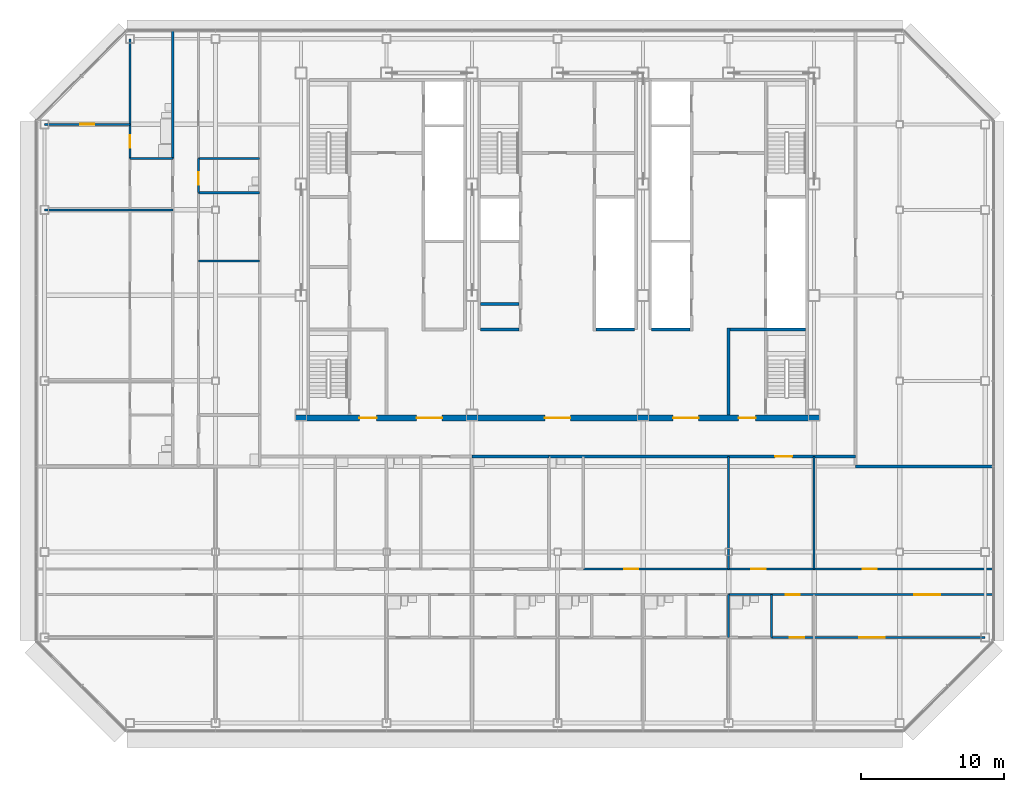
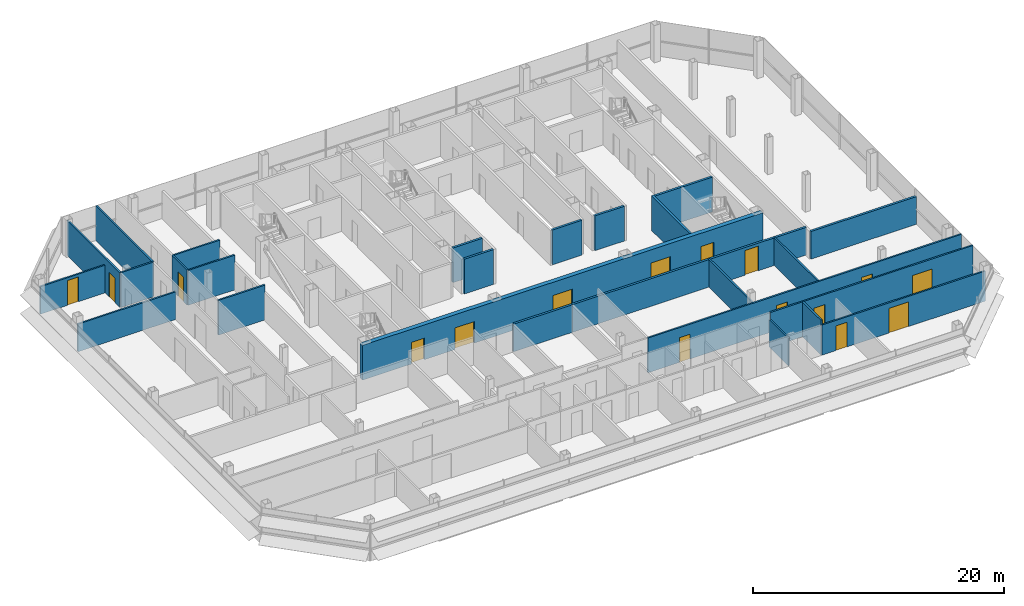
# One storey, part 23 of 28: 27 walls, 16 doors, 16 openings.
"""IFC4 building model written with IfcOpenShell, lengths in metres."""

from ifc_helpers import new_model, si_unit, direction, frame, frame_2d, origin, place, context, subcontext, project, spatial, rectangle, extrude, material, layer, layer_set, type_object, element, fill, save


model = new_model("IFC4")

# Units and contexts
model_context = context("Model", 3, precision=1e-05, world=origin(), true_north=direction((0.0, 1.0)))
body_context = subcontext(model_context, "Body", "Model", "MODEL_VIEW")
ifc_project = project(units=[si_unit("LENGTHUNIT", "METRE"), si_unit("AREAUNIT", "SQUARE_METRE"), si_unit("VOLUMEUNIT", "CUBIC_METRE"), si_unit("PLANEANGLEUNIT", "RADIAN"), si_unit("MASSUNIT", "GRAM", prefix="KILO")], contexts=[model_context])

# Site, building, storey
site_placement = place(None, origin())
site = spatial("IfcSite", under=ifc_project, at=site_placement, CompositionType="ELEMENT")
building_placement = place(site_placement, origin())
building = spatial("IfcBuilding", under=site, at=building_placement, Name="Sorahane Residences", CompositionType="ELEMENT")
storey_placement = place(building_placement, frame((0.0, 0.0, 254.0)))
storey = spatial("IfcBuildingStorey", under=building, at=storey_placement, Name="L60", CompositionType="ELEMENT", Elevation=254.0)

# Wall
ifc_material_1 = material(Name="Concrete blockwork C20 wall", Category="masonry")
ifc_layer_1 = layer(ifc_material_1, 0.199951171875)
ifc_layer_set_1 = layer_set([ifc_layer_1], Name="Corridor wall 200 EI 120")
wall_type_1 = type_object("IfcWallType", Name="Corridor wall 200 EI 120", PredefinedType="SOLIDWALL", material=ifc_layer_set_1)
wall_1_placement = place(storey_placement, frame((44.89990234375, 18.0, 0.0), z_axis=(0.0, 0.0, 1.0), x_axis=(1.0, 0.0, 0.0)))
element("IfcWall", 1, at=wall_1_placement, inside=storey, type_object=wall_type_1, Name="L60 corridor wall", PredefinedType="SOLIDWALL", context=body_context, shape_type="SweptSolid", body=[
    extrude(rectangle(XDim=9.7001953125, YDim=0.199951171875, at=frame_2d((4.85009765625, 0.0))), origin(), (0.0, 0.0, 1.0), 2.679931640625),
])

# Wall, opening, door
wall_2_placement = place(storey_placement, frame((23.39990234375, 18.699951171875, 0.0), z_axis=(0.0, 0.0, 1.0), x_axis=(1.0, 0.0, 0.0)))
wall_2 = element("IfcWall", 2, at=wall_2_placement, inside=storey, type_object=wall_type_1, Name="L60 corridor wall", PredefinedType="SOLIDWALL", context=body_context, shape_type="SweptSolid", body=[
    extrude(rectangle(XDim=21.5, YDim=0.199951171875, at=frame_2d((10.75, 0.0))), origin(), (0.0, 0.0, 1.0), 2.679931640625),
])
opening_1_placement = place(wall_2_placement, frame((15.860107421875, 0.0, 0.0)))
opening_1 = element("IfcOpeningElement", 3, at=opening_1_placement, cuts=wall_2, Name="Opening L60-47", PredefinedType="OPENING", context=body_context, shape_type="SweptSolid", body=[
    extrude(rectangle(XDim=1.199951171875, YDim=2.39990234375, at=frame_2d((0.60009765625, 1.199951171875))), frame((0.0, 0.10986328125, 0.0), z_axis=(0.0, -1.0, 0.0), x_axis=(1.0, 0.0, 0.0)), (0.0, 0.0, 1.0), 0.219970703125),
])
ifc_material_2 = material(Name="Timber veneered fire door", Category="wood")
door_type_1 = type_object("IfcDoorType", Name="Flat entrance door 1200x2400 FD60", OperationType="NOTDEFINED", PredefinedType="DOOR", material=ifc_material_2)
door_1_placement = place(opening_1_placement, frame((1.199951171875, 0.0, 0.0), z_axis=(0.0, 0.0, 1.0), x_axis=(-1.0, 0.0, 0.0)))
door_1 = element("IfcDoor", 4, at=door_1_placement, inside=storey, type_object=door_type_1, Name="Flat entrance door L60-47", OperationType="SINGLE_SWING_RIGHT", OverallHeight=2.39990234375, OverallWidth=1.199951171875, PredefinedType="DOOR", context=body_context, shape_type="SweptSolid", body=[
    extrude(rectangle(XDim=1.199951171875, YDim=2.39990234375, at=frame_2d((0.60009765625, 1.199951171875))), frame((0.0, 0.02490234375, 0.0), z_axis=(0.0, -1.0, 0.0), x_axis=(1.0, 0.0, 0.0)), (0.0, 0.0, 1.0), 0.050048828125),
])
fill(opening_1, door_1)

# Walls
ifc_material_3 = material(Name="Concrete C30", Category="concrete")
ifc_layer_2 = layer(ifc_material_3, 0.199951171875)
ifc_layer_set_2 = layer_set([ifc_layer_2], Name="Front room wall 200 EI 120")
wall_type_2 = type_object("IfcWallType", Name="Front room wall 200 EI 120", PredefinedType="PARTITIONING", material=ifc_layer_set_2)
wall_3_placement = place(storey_placement, frame((36.0, 21.60009765625, 0.0), z_axis=(0.0, 0.0, 1.0), x_axis=(0.0, 1.0, 0.0)))
element("IfcWall", 5, at=wall_3_placement, inside=storey, type_object=wall_type_2, Name="L60 front room wall", PredefinedType="PARTITIONING", context=body_context, shape_type="SweptSolid", body=[
    extrude(rectangle(XDim=6.099853515625, YDim=0.199951171875, at=frame_2d((3.0498046875, 0.0))), origin(), (0.0, 0.0, 1.0), 3.3798828125),
])
ifc_material_4 = material(Name="Concrete blockwork C20 wall", Category="masonry")
ifc_layer_3 = layer(ifc_material_4, 0.199951171875)
ifc_layer_set_3 = layer_set([ifc_layer_3], Name="Kitchen wall 200 EI 180")
wall_type_3 = type_object("IfcWallType", Name="Kitchen wall 200 EI 180", PredefinedType="SOLIDWALL", material=ifc_layer_set_3)
wall_4_placement = place(storey_placement, frame((18.0, 18.699951171875, 0.0), z_axis=(0.0, 0.0, 1.0), x_axis=(1.0, 0.0, 0.0)))
element("IfcWall", 6, at=wall_4_placement, inside=storey, type_object=wall_type_3, Name="L60 kitchen wall", PredefinedType="SOLIDWALL", context=body_context, shape_type="SweptSolid", body=[
    extrude(rectangle(XDim=5.39990234375, YDim=0.199951171875, at=frame_2d((2.699951171875, 0.0))), origin(), (0.0, 0.0, 1.0), 2.679931640625),
])
ifc_material_5 = material(Name="Concrete C30", Category="concrete")
ifc_layer_4 = layer(ifc_material_5, 0.199951171875)
ifc_layer_set_4 = layer_set([ifc_layer_4], Name="Lift shaft wall 200 EI 120")
wall_type_4 = type_object("IfcWallType", Name="Lift shaft wall 200 EI 120", PredefinedType="SOLIDWALL", material=ifc_layer_set_4)
wall_5_placement = place(storey_placement, frame((30.60009765625, 27.60009765625, 0.0), z_axis=(0.0, 0.0, 1.0), x_axis=(1.0, 0.0, 0.0)))
element("IfcWall", 7, at=wall_5_placement, inside=storey, type_object=wall_type_4, Name="L60 lift shaft wall", PredefinedType="SOLIDWALL", context=body_context, shape_type="SweptSolid", body=[
    extrude(rectangle(XDim=2.699951171875, YDim=0.199951171875, at=frame_2d((1.35009765625, 0.0))), origin(), (0.0, 0.0, 1.0), 3.3798828125),
])
ifc_material_6 = material(Name="Gypsum board partition on steel studs", Category="steel")
ifc_layer_5 = layer(ifc_material_6, 0.14990234375)
ifc_layer_set_5 = layer_set([ifc_layer_5], Name="Partition 150 EI 90")
wall_type_5 = type_object("IfcWallType", Name="Partition 150 EI 90", PredefinedType="PARTITIONING", material=ifc_layer_set_5)
for number, where, z_axis, x_axis, name in (
    (8, (36.0, 10.800048828125, 0.0), (0.0, 0.0, 1.0), (0.0, 1.0, 0.0), "L60 partition"),
    (9, (42.0, 10.800048828125, 0.0), (0.0, 0.0, 1.0), (0.0, 1.0, 0.0), "L60 partition"),
):
    element("IfcWall", number, at=place(storey_placement, frame(where, z_axis=z_axis, x_axis=x_axis)), inside=storey, type_object=wall_type_5, Name=name, PredefinedType="PARTITIONING", context=body_context, shape_type="SweptSolid", body=[
        extrude(rectangle(XDim=7.89990234375, YDim=0.14990234375, at=frame_2d((3.949951171875, 0.0))), origin(), (0.0, 0.0, 1.0), 2.679931640625),
    ])

# Wall, openings, doors
wall_6_placement = place(storey_placement, frame((25.800048828125, 10.800048828125, 0.0), z_axis=(0.0, 0.0, 1.0), x_axis=(1.0, 0.0, 0.0)))
wall_6 = element("IfcWall", 10, at=wall_6_placement, inside=storey, type_object=wall_type_5, Name="L60 partition", PredefinedType="PARTITIONING", context=body_context, shape_type="SweptSolid", body=[
    extrude(rectangle(XDim=28.800048828125, YDim=0.14990234375, at=frame_2d((14.39990234375, 0.0))), origin(), (0.0, 0.0, 1.0), 3.3798828125),
])
opening_2_placement = place(wall_6_placement, frame((11.800048828125, 0.0, 0.0)))
opening_2 = element("IfcOpeningElement", 11, at=opening_2_placement, cuts=wall_6, Name="Opening L60-13", PredefinedType="OPENING", context=body_context, shape_type="SweptSolid", body=[
    extrude(rectangle(XDim=1.0, YDim=2.39990234375, at=frame_2d((0.5, 1.199951171875))), frame((0.0, 0.0849609375, 0.0), z_axis=(0.0, -1.0, 0.0), x_axis=(1.0, 0.0, 0.0)), (0.0, 0.0, 1.0), 0.169921875),
])
opening_3_placement = place(wall_6_placement, frame((2.860107421875, 0.0, 0.0)))
opening_3 = element("IfcOpeningElement", 12, at=opening_3_placement, cuts=wall_6, Name="Opening L60-16", PredefinedType="OPENING", context=body_context, shape_type="SweptSolid", body=[
    extrude(rectangle(XDim=1.0, YDim=2.39990234375, at=frame_2d((0.5, 1.199951171875))), frame((0.0, 0.0849609375, 0.0), z_axis=(0.0, -1.0, 0.0), x_axis=(1.0, 0.0, 0.0)), (0.0, 0.0, 1.0), 0.169921875),
])
opening_4_placement = place(wall_6_placement, frame((19.60009765625, 0.0, 0.0)))
opening_4 = element("IfcOpeningElement", 13, at=opening_4_placement, cuts=wall_6, Name="Opening L60-17", PredefinedType="OPENING", context=body_context, shape_type="SweptSolid", body=[
    extrude(rectangle(XDim=1.0, YDim=2.39990234375, at=frame_2d((0.5, 1.199951171875))), frame((0.0, 0.0849609375, 0.0), z_axis=(0.0, -1.0, 0.0), x_axis=(1.0, 0.0, 0.0)), (0.0, 0.0, 1.0), 0.169921875),
])
ifc_material_7 = material(Name="Timber veneered fire door", Category="wood")
door_type_2 = type_object("IfcDoorType", Name="Room door 1000x2400 FD30", OperationType="NOTDEFINED", PredefinedType="DOOR", material=ifc_material_7)
door_2_placement = place(opening_2_placement, frame((1.0, 0.0, 0.0), z_axis=(0.0, 0.0, 1.0), x_axis=(-1.0, 0.0, 0.0)))
door_2 = element("IfcDoor", 14, at=door_2_placement, inside=storey, type_object=door_type_2, Name="Room door L60-13", OperationType="SINGLE_SWING_LEFT", OverallHeight=2.39990234375, OverallWidth=1.0, PredefinedType="DOOR", context=body_context, shape_type="SweptSolid", body=[
    extrude(rectangle(XDim=1.0, YDim=2.39990234375, at=frame_2d((0.5, 1.199951171875))), frame((0.0, 0.02490234375, 0.0), z_axis=(0.0, -1.0, 0.0), x_axis=(1.0, 0.0, 0.0)), (0.0, 0.0, 1.0), 0.050048828125),
])
fill(opening_2, door_2)
door_3_placement = place(opening_3_placement, origin())
door_3 = element("IfcDoor", 15, at=door_3_placement, inside=storey, type_object=door_type_2, Name="Room door L60-16", OperationType="SINGLE_SWING_LEFT", OverallHeight=2.39990234375, OverallWidth=1.0, PredefinedType="DOOR", context=body_context, shape_type="SweptSolid", body=[
    extrude(rectangle(XDim=1.0, YDim=2.39990234375, at=frame_2d((0.5, 1.199951171875))), frame((0.0, 0.02490234375, 0.0), z_axis=(0.0, -1.0, 0.0), x_axis=(1.0, 0.0, 0.0)), (0.0, 0.0, 1.0), 0.050048828125),
])
fill(opening_3, door_3)
door_4_placement = place(opening_4_placement, origin())
door_4 = element("IfcDoor", 16, at=door_4_placement, inside=storey, type_object=door_type_2, Name="Room door L60-17", OperationType="SINGLE_SWING_LEFT", OverallHeight=2.39990234375, OverallWidth=1.0, PredefinedType="DOOR", context=body_context, shape_type="SweptSolid", body=[
    extrude(rectangle(XDim=1.0, YDim=2.39990234375, at=frame_2d((0.5, 1.199951171875))), frame((0.0, 0.02490234375, 0.0), z_axis=(0.0, -1.0, 0.0), x_axis=(1.0, 0.0, 0.0)), (0.0, 0.0, 1.0), 0.050048828125),
])
fill(opening_4, door_4)

# Walls
wall_7_placement = place(storey_placement, frame((-1.199951171875, 32.39990234375, 0.0), z_axis=(0.0, 0.0, 1.0), x_axis=(1.0, 0.0, 0.0)))
element("IfcWall", 17, at=wall_7_placement, inside=storey, type_object=wall_type_5, Name="L60 partition", PredefinedType="PARTITIONING", context=body_context, shape_type="SweptSolid", body=[
    extrude(rectangle(XDim=4.300048828125, YDim=0.14990234375, at=frame_2d((2.14990234375, 0.0))), origin(), (0.0, 0.0, 1.0), 3.3798828125),
])
wall_8_placement = place(storey_placement, frame((-12.0, 36.0, 0.0), z_axis=(0.0, 0.0, 1.0), x_axis=(1.0, 0.0, 0.0)))
element("IfcWall", 18, at=wall_8_placement, inside=storey, type_object=wall_type_5, Name="L60 partition", PredefinedType="PARTITIONING", context=body_context, shape_type="SweptSolid", body=[
    extrude(rectangle(XDim=9.0, YDim=0.14990234375, at=frame_2d((4.5, 0.0))), origin(), (0.0, 0.0, 1.0), 2.679931640625),
])

# Wall, opening, door
wall_9_placement = place(storey_placement, frame((-12.0, 42.0, 0.0), z_axis=(0.0, 0.0, 1.0), x_axis=(1.0, 0.0, 0.0)))
wall_9 = element("IfcWall", 19, at=wall_9_placement, inside=storey, type_object=wall_type_5, Name="L60 partition", PredefinedType="PARTITIONING", context=body_context, shape_type="SweptSolid", body=[
    extrude(rectangle(XDim=6.0, YDim=0.14990234375, at=frame_2d((3.0, 0.0))), origin(), (0.0, 0.0, 1.0), 2.679931640625),
])
opening_5_placement = place(wall_9_placement, frame((2.5, 0.0, 0.0)))
opening_5 = element("IfcOpeningElement", 20, at=opening_5_placement, cuts=wall_9, Name="Opening L60-44", PredefinedType="OPENING", context=body_context, shape_type="SweptSolid", body=[
    extrude(rectangle(XDim=1.0, YDim=2.39990234375, at=frame_2d((0.5, 1.199951171875))), frame((0.0, 0.0849609375, 0.0), z_axis=(0.0, -1.0, 0.0), x_axis=(1.0, 0.0, 0.0)), (0.0, 0.0, 1.0), 0.169921875),
])
door_5_placement = place(opening_5_placement, origin())
door_5 = element("IfcDoor", 21, at=door_5_placement, inside=storey, type_object=door_type_2, Name="Room door L60-44", OperationType="SINGLE_SWING_LEFT", OverallHeight=2.39990234375, OverallWidth=1.0, PredefinedType="DOOR", context=body_context, shape_type="SweptSolid", body=[
    extrude(rectangle(XDim=1.0, YDim=2.39990234375, at=frame_2d((0.5, 1.199951171875))), frame((0.0, 0.02490234375, 0.0), z_axis=(0.0, -1.0, 0.0), x_axis=(1.0, 0.0, 0.0)), (0.0, 0.0, 1.0), 0.050048828125),
])
fill(opening_5, door_5)

# Wall, openings, doors
wall_10_placement = place(storey_placement, frame((39.0, 6.0, 0.0), z_axis=(0.0, 0.0, 1.0), x_axis=(1.0, 0.0, 0.0)))
wall_10 = element("IfcWall", 22, at=wall_10_placement, inside=storey, type_object=wall_type_5, Name="L60 partition", PredefinedType="PARTITIONING", context=body_context, shape_type="SweptSolid", body=[
    extrude(rectangle(XDim=15.0, YDim=0.14990234375, at=frame_2d((7.5, 0.0))), origin(), (0.0, 0.0, 1.0), 2.929931640625),
])
opening_6_placement = place(wall_10_placement, frame((1.300048828125, 0.0, 0.0)))
opening_6 = element("IfcOpeningElement", 23, at=opening_6_placement, cuts=wall_10, Name="Opening L60-29", PredefinedType="OPENING", context=body_context, shape_type="SweptSolid", body=[
    extrude(rectangle(XDim=1.0, YDim=2.39990234375, at=frame_2d((0.5, 1.199951171875))), frame((0.0, 0.0849609375, 0.0), z_axis=(0.0, -1.0, 0.0), x_axis=(1.0, 0.0, 0.0)), (0.0, 0.0, 1.0), 0.169921875),
])
opening_7_placement = place(wall_10_placement, frame((6.159912109375, 0.0, 0.0)))
opening_7 = element("IfcOpeningElement", 24, at=opening_7_placement, cuts=wall_10, Name="Opening L60-31", PredefinedType="OPENING", context=body_context, shape_type="SweptSolid", body=[
    extrude(rectangle(XDim=1.800048828125, YDim=2.39990234375, at=frame_2d((0.89990234375, 1.199951171875))), frame((0.0, 0.0849609375, 0.0), z_axis=(0.0, -1.0, 0.0), x_axis=(1.0, 0.0, 0.0)), (0.0, 0.0, 1.0), 0.169921875),
])
ifc_material_8 = material(Name="Timber veneered fire door", Category="wood")
door_type_3 = type_object("IfcDoorType", Name="Double door 1800x2400 FD30", OperationType="NOTDEFINED", PredefinedType="DOOR", material=ifc_material_8)
door_6_placement = place(opening_7_placement, frame((1.800048828125, 0.0, 0.0), z_axis=(0.0, 0.0, 1.0), x_axis=(-1.0, 0.0, 0.0)))
door_6 = element("IfcDoor", 25, at=door_6_placement, inside=storey, type_object=door_type_3, Name="Double door L60-31", OperationType="SINGLE_SWING_RIGHT", OverallHeight=2.39990234375, OverallWidth=1.800048828125, PredefinedType="DOOR", context=body_context, shape_type="SweptSolid", body=[
    extrude(rectangle(XDim=1.800048828125, YDim=2.39990234375, at=frame_2d((0.89990234375, 1.199951171875))), frame((0.0, 0.02490234375, 0.0), z_axis=(0.0, -1.0, 0.0), x_axis=(1.0, 0.0, 0.0)), (0.0, 0.0, 1.0), 0.050048828125),
])
fill(opening_7, door_6)
door_7_placement = place(opening_6_placement, frame((1.0, 0.0, 0.0), z_axis=(0.0, 0.0, 1.0), x_axis=(-1.0, 0.0, 0.0)))
door_7 = element("IfcDoor", 26, at=door_7_placement, inside=storey, type_object=door_type_2, Name="Room door L60-29", OperationType="SINGLE_SWING_RIGHT", OverallHeight=2.39990234375, OverallWidth=1.0, PredefinedType="DOOR", context=body_context, shape_type="SweptSolid", body=[
    extrude(rectangle(XDim=1.0, YDim=2.39990234375, at=frame_2d((0.5, 1.199951171875))), frame((0.0, 0.02490234375, 0.0), z_axis=(0.0, -1.0, 0.0), x_axis=(1.0, 0.0, 0.0)), (0.0, 0.0, 1.0), 0.050048828125),
])
fill(opening_6, door_7)

wall_11_placement = place(storey_placement, frame((39.0, 9.0, 0.0), z_axis=(0.0, 0.0, 1.0), x_axis=(1.0, 0.0, 0.0)))
wall_11 = element("IfcWall", 27, at=wall_11_placement, inside=storey, type_object=wall_type_5, Name="L60 partition", PredefinedType="PARTITIONING", context=body_context, shape_type="SweptSolid", body=[
    extrude(rectangle(XDim=15.60009765625, YDim=0.14990234375, at=frame_2d((7.800048828125, 0.0))), origin(), (0.0, 0.0, 1.0), 3.3798828125),
])
opening_8_placement = place(wall_11_placement, frame((1.0, 0.0, 0.0)))
opening_8 = element("IfcOpeningElement", 28, at=opening_8_placement, cuts=wall_11, Name="Opening L60-21", PredefinedType="OPENING", context=body_context, shape_type="SweptSolid", body=[
    extrude(rectangle(XDim=1.0, YDim=2.39990234375, at=frame_2d((0.5, 1.199951171875))), frame((0.0, 0.0849609375, 0.0), z_axis=(0.0, -1.0, 0.0), x_axis=(1.0, 0.0, 0.0)), (0.0, 0.0, 1.0), 0.169921875),
])
opening_9_placement = place(wall_11_placement, frame((10.0400390625, 0.0, 0.0)))
opening_9 = element("IfcOpeningElement", 29, at=opening_9_placement, cuts=wall_11, Name="Opening L60-22", PredefinedType="OPENING", context=body_context, shape_type="SweptSolid", body=[
    extrude(rectangle(XDim=1.800048828125, YDim=2.39990234375, at=frame_2d((0.89990234375, 1.199951171875))), frame((0.0, 0.0849609375, 0.0), z_axis=(0.0, -1.0, 0.0), x_axis=(1.0, 0.0, 0.0)), (0.0, 0.0, 1.0), 0.169921875),
])
door_8_placement = place(opening_9_placement, frame((1.800048828125, 0.0, 0.0), z_axis=(0.0, 0.0, 1.0), x_axis=(-1.0, 0.0, 0.0)))
door_8 = element("IfcDoor", 30, at=door_8_placement, inside=storey, type_object=door_type_3, Name="Double door L60-22", OperationType="SINGLE_SWING_LEFT", OverallHeight=2.39990234375, OverallWidth=1.800048828125, PredefinedType="DOOR", context=body_context, shape_type="SweptSolid", body=[
    extrude(rectangle(XDim=1.800048828125, YDim=2.39990234375, at=frame_2d((0.89990234375, 1.199951171875))), frame((0.0, 0.02490234375, 0.0), z_axis=(0.0, -1.0, 0.0), x_axis=(1.0, 0.0, 0.0)), (0.0, 0.0, 1.0), 0.050048828125),
])
fill(opening_9, door_8)
door_9_placement = place(opening_8_placement, frame((1.0, 0.0, 0.0), z_axis=(0.0, 0.0, 1.0), x_axis=(-1.0, 0.0, 0.0)))
door_9 = element("IfcDoor", 31, at=door_9_placement, inside=storey, type_object=door_type_2, Name="Room door L60-21", OperationType="SINGLE_SWING_LEFT", OverallHeight=2.39990234375, OverallWidth=1.0, PredefinedType="DOOR", context=body_context, shape_type="SweptSolid", body=[
    extrude(rectangle(XDim=1.0, YDim=2.39990234375, at=frame_2d((0.5, 1.199951171875))), frame((0.0, 0.02490234375, 0.0), z_axis=(0.0, -1.0, 0.0), x_axis=(1.0, 0.0, 0.0)), (0.0, 0.0, 1.0), 0.050048828125),
])
fill(opening_8, door_9)

# Walls
ifc_material_9 = material(Name="Concrete C30", Category="concrete")
ifc_layer_6 = layer(ifc_material_9, 0.199951171875)
ifc_layer_set_6 = layer_set([ifc_layer_6], Name="Riser shaft wall 200 EI 120")
wall_type_6 = type_object("IfcWallType", Name="Riser shaft wall 200 EI 120", PredefinedType="SOLIDWALL", material=ifc_layer_set_6)
wall_12_placement = place(storey_placement, frame((26.699951171875, 27.60009765625, 0.0), z_axis=(0.0, 0.0, 1.0), x_axis=(1.0, 0.0, 0.0)))
element("IfcWall", 32, at=wall_12_placement, inside=storey, type_object=wall_type_6, Name="L60 riser wall", PredefinedType="SOLIDWALL", context=body_context, shape_type="SweptSolid", body=[
    extrude(rectangle(XDim=2.699951171875, YDim=0.199951171875, at=frame_2d((1.35009765625, 0.0))), origin(), (0.0, 0.0, 1.0), 3.3798828125),
])
ifc_material_10 = material(Name="Concrete C30", Category="concrete")
ifc_layer_7 = layer(ifc_material_10, 0.199951171875)
ifc_layer_set_7 = layer_set([ifc_layer_7], Name="Service room partition 200 EI 60")
wall_type_7 = type_object("IfcWallType", Name="Service room partition 200 EI 60", PredefinedType="PARTITIONING", material=ifc_layer_set_7)
for number, where, z_axis, x_axis, name in (
    (33, (18.60009765625, 27.60009765625, 0.0), (0.0, 0.0, 1.0), (1.0, 0.0, 0.0), "L60 service room wall"),
    (34, (18.60009765625, 29.39990234375, 0.0), (0.0, 0.0, 1.0), (1.0, 0.0, 0.0), "L60 service room wall"),
):
    element("IfcWall", number, at=place(storey_placement, frame(where, z_axis=z_axis, x_axis=x_axis)), inside=storey, type_object=wall_type_7, Name=name, PredefinedType="PARTITIONING", context=body_context, shape_type="SweptSolid", body=[
        extrude(rectangle(XDim=2.699951171875, YDim=0.199951171875, at=frame_2d((1.35009765625, 0.0))), origin(), (0.0, 0.0, 1.0), 3.3798828125),
    ])
ifc_material_11 = material(Name="Concrete C30", Category="concrete")
ifc_layer_8 = layer(ifc_material_11, 0.199951171875)
ifc_layer_set_8 = layer_set([ifc_layer_8], Name="Stair enclosure wall 200 EI 120")
wall_type_8 = type_object("IfcWallType", Name="Stair enclosure wall 200 EI 120", PredefinedType="SOLIDWALL", material=ifc_layer_set_8)
wall_13_placement = place(storey_placement, frame((36.10009765625, 27.60009765625, 0.0), z_axis=(0.0, 0.0, 1.0), x_axis=(1.0, 0.0, 0.0)))
element("IfcWall", 35, at=wall_13_placement, inside=storey, type_object=wall_type_8, Name="L60 stair enclosure wall", PredefinedType="SOLIDWALL", context=body_context, shape_type="SweptSolid", body=[
    extrude(rectangle(XDim=5.2998046875, YDim=0.199951171875, at=frame_2d((2.64990234375, 0.0))), origin(), (0.0, 0.0, 1.0), 3.3798828125),
])

# Wall, openings, doors
ifc_material_12 = material(Name="Concrete C30", Category="concrete")
ifc_layer_9 = layer(ifc_material_12, 0.39990234375)
ifc_layer_set_9 = layer_set([ifc_layer_9], Name="Waiting hall wall 400 EI 120")
wall_type_9 = type_object("IfcWallType", Name="Waiting hall wall 400 EI 120", PredefinedType="SOLIDWALL", material=ifc_layer_set_9)
wall_14_placement = place(storey_placement, frame((5.60009765625, 21.39990234375, 0.0), z_axis=(0.0, 0.0, 1.0), x_axis=(1.0, 0.0, 0.0)))
wall_14 = element("IfcWall", 36, at=wall_14_placement, inside=storey, type_object=wall_type_9, Name="L60 waiting hall wall", PredefinedType="SOLIDWALL", context=body_context, shape_type="SweptSolid", body=[
    extrude(rectangle(XDim=36.7998046875, YDim=0.39990234375, at=frame_2d((18.39990234375, 0.0))), origin(), (0.0, 0.0, 1.0), 3.3798828125),
])
opening_10_placement = place(wall_14_placement, frame((8.5, 0.0, 0.0)))
opening_10 = element("IfcOpeningElement", 37, at=opening_10_placement, cuts=wall_14, Name="Opening L60-C01", PredefinedType="OPENING", context=body_context, shape_type="SweptSolid", body=[
    extrude(rectangle(XDim=1.800048828125, YDim=2.10009765625, at=frame_2d((0.89990234375, 1.050048828125))), frame((0.0, 0.2099609375, 0.0), z_axis=(0.0, -1.0, 0.0), x_axis=(1.0, 0.0, 0.0)), (0.0, 0.0, 1.0), 0.419921875),
])
opening_11_placement = place(wall_14_placement, frame((17.5, 0.0, 0.0)))
opening_11 = element("IfcOpeningElement", 38, at=opening_11_placement, cuts=wall_14, Name="Opening L60-C02", PredefinedType="OPENING", context=body_context, shape_type="SweptSolid", body=[
    extrude(rectangle(XDim=1.800048828125, YDim=2.10009765625, at=frame_2d((0.89990234375, 1.050048828125))), frame((0.0, 0.2099609375, 0.0), z_axis=(0.0, -1.0, 0.0), x_axis=(1.0, 0.0, 0.0)), (0.0, 0.0, 1.0), 0.419921875),
])
opening_12_placement = place(wall_14_placement, frame((26.5, 0.0, 0.0)))
opening_12 = element("IfcOpeningElement", 39, at=opening_12_placement, cuts=wall_14, Name="Opening L60-C03", PredefinedType="OPENING", context=body_context, shape_type="SweptSolid", body=[
    extrude(rectangle(XDim=1.800048828125, YDim=2.10009765625, at=frame_2d((0.89990234375, 1.050048828125))), frame((0.0, 0.2099609375, 0.0), z_axis=(0.0, -1.0, 0.0), x_axis=(1.0, 0.0, 0.0)), (0.0, 0.0, 1.0), 0.419921875),
])
opening_13_placement = place(wall_14_placement, frame((4.5, 0.0, 0.0)))
opening_13 = element("IfcOpeningElement", 40, at=opening_13_placement, cuts=wall_14, Name="Opening L60-C04", PredefinedType="OPENING", context=body_context, shape_type="SweptSolid", body=[
    extrude(rectangle(XDim=1.199951171875, YDim=2.10009765625, at=frame_2d((0.60009765625, 1.050048828125))), frame((0.0, 0.2099609375, 0.0), z_axis=(0.0, -1.0, 0.0), x_axis=(1.0, 0.0, 0.0)), (0.0, 0.0, 1.0), 0.419921875),
])
opening_14_placement = place(wall_14_placement, frame((31.10009765625, 0.0, 0.0)))
opening_14 = element("IfcOpeningElement", 41, at=opening_14_placement, cuts=wall_14, Name="Opening L60-C05", PredefinedType="OPENING", context=body_context, shape_type="SweptSolid", body=[
    extrude(rectangle(XDim=1.199951171875, YDim=2.10009765625, at=frame_2d((0.60009765625, 1.050048828125))), frame((0.0, 0.2099609375, 0.0), z_axis=(0.0, -1.0, 0.0), x_axis=(1.0, 0.0, 0.0)), (0.0, 0.0, 1.0), 0.419921875),
])
ifc_material_13 = material(Name="Steel", Category="steel")
door_type_4 = type_object("IfcDoorType", Name="Stair front room door 1200x2100 FD120", OperationType="NOTDEFINED", PredefinedType="DOOR", material=ifc_material_13)
door_10_placement = place(opening_13_placement, frame((1.199951171875, 0.0, 0.0), z_axis=(0.0, 0.0, 1.0), x_axis=(-1.0, 0.0, 0.0)))
door_10 = element("IfcDoor", 42, at=door_10_placement, inside=storey, type_object=door_type_4, Name="Stair front room door Stair S4 front room L60", OperationType="SINGLE_SWING_LEFT", OverallHeight=2.10009765625, OverallWidth=1.199951171875, PredefinedType="DOOR", context=body_context, shape_type="SweptSolid", body=[
    extrude(rectangle(XDim=1.199951171875, YDim=2.10009765625, at=frame_2d((0.60009765625, 1.050048828125))), frame((0.0, 0.02490234375, 0.0), z_axis=(0.0, -1.0, 0.0), x_axis=(1.0, 0.0, 0.0)), (0.0, 0.0, 1.0), 0.050048828125),
])
fill(opening_13, door_10)
door_11_placement = place(opening_14_placement, frame((1.199951171875, 0.0, 0.0), z_axis=(0.0, 0.0, 1.0), x_axis=(-1.0, 0.0, 0.0)))
door_11 = element("IfcDoor", 43, at=door_11_placement, inside=storey, type_object=door_type_4, Name="Stair front room door Stair S5 front room L60", OperationType="SINGLE_SWING_LEFT", OverallHeight=2.10009765625, OverallWidth=1.199951171875, PredefinedType="DOOR", context=body_context, shape_type="SweptSolid", body=[
    extrude(rectangle(XDim=1.199951171875, YDim=2.10009765625, at=frame_2d((0.60009765625, 1.050048828125))), frame((0.0, 0.02490234375, 0.0), z_axis=(0.0, -1.0, 0.0), x_axis=(1.0, 0.0, 0.0)), (0.0, 0.0, 1.0), 0.050048828125),
])
fill(opening_14, door_11)
ifc_material_14 = material(Name="Steel", Category="steel")
door_type_5 = type_object("IfcDoorType", Name="Waiting hall door 1800x2100 FD60", OperationType="NOTDEFINED", PredefinedType="DOOR", material=ifc_material_14)
door_12_placement = place(opening_10_placement, frame((1.800048828125, 0.0, 0.0), z_axis=(0.0, 0.0, 1.0), x_axis=(-1.0, 0.0, 0.0)))
door_12 = element("IfcDoor", 44, at=door_12_placement, inside=storey, type_object=door_type_5, Name="Waiting hall door Residents' waiting hall L60", OperationType="SINGLE_SWING_LEFT", OverallHeight=2.10009765625, OverallWidth=1.800048828125, PredefinedType="DOOR", context=body_context, shape_type="SweptSolid", body=[
    extrude(rectangle(XDim=1.800048828125, YDim=2.10009765625, at=frame_2d((0.89990234375, 1.050048828125))), frame((0.0, 0.02490234375, 0.0), z_axis=(0.0, -1.0, 0.0), x_axis=(1.0, 0.0, 0.0)), (0.0, 0.0, 1.0), 0.050048828125),
])
fill(opening_10, door_12)
door_13_placement = place(opening_11_placement, frame((1.800048828125, 0.0, 0.0), z_axis=(0.0, 0.0, 1.0), x_axis=(-1.0, 0.0, 0.0)))
door_13 = element("IfcDoor", 45, at=door_13_placement, inside=storey, type_object=door_type_5, Name="Waiting hall door Residents' waiting hall L60", OperationType="SINGLE_SWING_LEFT", OverallHeight=2.10009765625, OverallWidth=1.800048828125, PredefinedType="DOOR", context=body_context, shape_type="SweptSolid", body=[
    extrude(rectangle(XDim=1.800048828125, YDim=2.10009765625, at=frame_2d((0.89990234375, 1.050048828125))), frame((0.0, 0.02490234375, 0.0), z_axis=(0.0, -1.0, 0.0), x_axis=(1.0, 0.0, 0.0)), (0.0, 0.0, 1.0), 0.050048828125),
])
fill(opening_11, door_13)
door_14_placement = place(opening_12_placement, frame((1.800048828125, 0.0, 0.0), z_axis=(0.0, 0.0, 1.0), x_axis=(-1.0, 0.0, 0.0)))
door_14 = element("IfcDoor", 46, at=door_14_placement, inside=storey, type_object=door_type_5, Name="Waiting hall door Residents' waiting hall L60", OperationType="SINGLE_SWING_LEFT", OverallHeight=2.10009765625, OverallWidth=1.800048828125, PredefinedType="DOOR", context=body_context, shape_type="SweptSolid", body=[
    extrude(rectangle(XDim=1.800048828125, YDim=2.10009765625, at=frame_2d((0.89990234375, 1.050048828125))), frame((0.0, 0.02490234375, 0.0), z_axis=(0.0, -1.0, 0.0), x_axis=(1.0, 0.0, 0.0)), (0.0, 0.0, 1.0), 0.050048828125),
])
fill(opening_12, door_14)

# Wall, opening, door
ifc_material_15 = material(Name="Gypsum board partition on steel studs", Category="steel")
ifc_layer_10 = layer(ifc_material_15, 0.14990234375)
ifc_layer_set_10 = layer_set([ifc_layer_10], Name="Wet wall 150 EI 90")
wall_type_10 = type_object("IfcWallType", Name="Wet wall 150 EI 90", PredefinedType="PARTITIONING", material=ifc_layer_set_10)
wall_15_placement = place(storey_placement, frame((-1.199951171875, 37.199951171875, 0.0), z_axis=(0.0, 0.0, 1.0), x_axis=(0.0, 1.0, 0.0)))
wall_15 = element("IfcWall", 47, at=wall_15_placement, inside=storey, type_object=wall_type_10, Name="L60 wet wall", PredefinedType="PARTITIONING", context=body_context, shape_type="SweptSolid", body=[
    extrude(rectangle(XDim=2.400146484375, YDim=0.14990234375, at=frame_2d((1.2001953125, 0.0))), origin(), (0.0, 0.0, 1.0), 3.3798828125),
])
opening_15_placement = place(wall_15_placement, frame((0.550048828125, 0.0, 0.0)))
opening_15 = element("IfcOpeningElement", 48, at=opening_15_placement, cuts=wall_15, Name="Opening L60-35", PredefinedType="OPENING", context=body_context, shape_type="SweptSolid", body=[
    extrude(rectangle(XDim=0.89990234375, YDim=2.39990234375, at=frame_2d((0.449951171875, 1.199951171875))), frame((0.0, 0.0849609375, 0.0), z_axis=(0.0, -1.0, 0.0), x_axis=(1.0, 0.0, 0.0)), (0.0, 0.0, 1.0), 0.169921875),
])
ifc_material_16 = material(Name="Timber veneered fire door", Category="wood")
door_type_6 = type_object("IfcDoorType", Name="Bathroom door 900x2400 FD30", OperationType="NOTDEFINED", PredefinedType="DOOR", material=ifc_material_16)
door_15_placement = place(opening_15_placement, origin())
door_15 = element("IfcDoor", 49, at=door_15_placement, inside=storey, type_object=door_type_6, Name="Bathroom door L60-35", OperationType="SINGLE_SWING_LEFT", OverallHeight=2.39990234375, OverallWidth=0.89990234375, PredefinedType="DOOR", context=body_context, shape_type="SweptSolid", body=[
    extrude(rectangle(XDim=0.89990234375, YDim=2.39990234375, at=frame_2d((0.449951171875, 1.199951171875))), frame((0.0, 0.02490234375, 0.0), z_axis=(0.0, -1.0, 0.0), x_axis=(1.0, 0.0, 0.0)), (0.0, 0.0, 1.0), 0.050048828125),
])
fill(opening_15, door_15)

# Wall
wall_16_placement = place(storey_placement, frame((-3.0, 39.60009765625, 0.0), z_axis=(0.0, 0.0, 1.0), x_axis=(0.0, 1.0, 0.0)))
element("IfcWall", 50, at=wall_16_placement, inside=storey, type_object=wall_type_10, Name="L60 wet wall", PredefinedType="PARTITIONING", context=body_context, shape_type="SweptSolid", body=[
    extrude(rectangle(XDim=9.0, YDim=0.14990234375, at=frame_2d((4.5, 0.0))), origin(), (0.0, 0.0, 1.0), 3.3798828125),
])

# Wall, opening, door
wall_17_placement = place(storey_placement, frame((-6.0, 39.60009765625, 0.0), z_axis=(0.0, 0.0, 1.0), x_axis=(0.0, 1.0, 0.0)))
wall_17 = element("IfcWall", 51, at=wall_17_placement, inside=storey, type_object=wall_type_10, Name="L60 wet wall", PredefinedType="PARTITIONING", context=body_context, shape_type="SweptSolid", body=[
    extrude(rectangle(XDim=8.39990234375, YDim=0.14990234375, at=frame_2d((4.199951171875, 0.0))), origin(), (0.0, 0.0, 1.0), 3.3798828125),
])
opening_16_placement = place(wall_17_placement, frame((0.75, 0.0, 0.0)))
opening_16 = element("IfcOpeningElement", 52, at=opening_16_placement, cuts=wall_17, Name="Opening L60-45", PredefinedType="OPENING", context=body_context, shape_type="SweptSolid", body=[
    extrude(rectangle(XDim=0.89990234375, YDim=2.39990234375, at=frame_2d((0.449951171875, 1.199951171875))), frame((0.0, 0.0849609375, 0.0), z_axis=(0.0, -1.0, 0.0), x_axis=(1.0, 0.0, 0.0)), (0.0, 0.0, 1.0), 0.169921875),
])
door_16_placement = place(opening_16_placement, origin())
door_16 = element("IfcDoor", 53, at=door_16_placement, inside=storey, type_object=door_type_6, Name="Bathroom door L60-45", OperationType="SINGLE_SWING_LEFT", OverallHeight=2.39990234375, OverallWidth=0.89990234375, PredefinedType="DOOR", context=body_context, shape_type="SweptSolid", body=[
    extrude(rectangle(XDim=0.89990234375, YDim=2.39990234375, at=frame_2d((0.449951171875, 1.199951171875))), frame((0.0, 0.02490234375, 0.0), z_axis=(0.0, -1.0, 0.0), x_axis=(1.0, 0.0, 0.0)), (0.0, 0.0, 1.0), 0.050048828125),
])
fill(opening_16, door_16)

# Walls
wall_18_placement = place(storey_placement, frame((36.0, 6.0, 0.0), z_axis=(0.0, 0.0, 1.0), x_axis=(0.0, 1.0, 0.0)))
element("IfcWall", 54, at=wall_18_placement, inside=storey, type_object=wall_type_10, Name="L60 wet wall", PredefinedType="PARTITIONING", context=body_context, shape_type="SweptSolid", body=[
    extrude(rectangle(XDim=3.0, YDim=0.14990234375, at=frame_2d((1.5, 0.0))), origin(), (0.0, 0.0, 1.0), 2.679931640625),
])
wall_19_placement = place(storey_placement, frame((39.0, 6.0, 0.0), z_axis=(0.0, 0.0, 1.0), x_axis=(0.0, 1.0, 0.0)))
element("IfcWall", 55, at=wall_19_placement, inside=storey, type_object=wall_type_10, Name="L60 wet wall", PredefinedType="PARTITIONING", context=body_context, shape_type="SweptSolid", body=[
    extrude(rectangle(XDim=3.0, YDim=0.14990234375, at=frame_2d((1.5, 0.0))), origin(), (0.0, 0.0, 1.0), 3.3798828125),
])
wall_20_placement = place(storey_placement, frame((-1.199951171875, 37.199951171875, 0.0), z_axis=(0.0, 0.0, 1.0), x_axis=(1.0, 0.0, 0.0)))
element("IfcWall", 56, at=wall_20_placement, inside=storey, type_object=wall_type_10, Name="L60 wet wall", PredefinedType="PARTITIONING", context=body_context, shape_type="SweptSolid", body=[
    extrude(rectangle(XDim=4.300048828125, YDim=0.14990234375, at=frame_2d((2.14990234375, 0.0))), origin(), (0.0, 0.0, 1.0), 3.3798828125),
])
wall_21_placement = place(storey_placement, frame((-6.0, 39.60009765625, 0.0), z_axis=(0.0, 0.0, 1.0), x_axis=(1.0, 0.0, 0.0)))
element("IfcWall", 57, at=wall_21_placement, inside=storey, type_object=wall_type_10, Name="L60 wet wall", PredefinedType="PARTITIONING", context=body_context, shape_type="SweptSolid", body=[
    extrude(rectangle(XDim=3.0, YDim=0.14990234375, at=frame_2d((1.5, 0.0))), origin(), (0.0, 0.0, 1.0), 3.3798828125),
])
wall_22_placement = place(storey_placement, frame((-1.199951171875, 39.60009765625, 0.0), z_axis=(0.0, 0.0, 1.0), x_axis=(1.0, 0.0, 0.0)))
element("IfcWall", 58, at=wall_22_placement, inside=storey, type_object=wall_type_10, Name="L60 wet wall", PredefinedType="PARTITIONING", context=body_context, shape_type="SweptSolid", body=[
    extrude(rectangle(XDim=4.300048828125, YDim=0.14990234375, at=frame_2d((2.14990234375, 0.0))), origin(), (0.0, 0.0, 1.0), 3.3798828125),
])
wall_23_placement = place(storey_placement, frame((36.0, 9.0, 0.0), z_axis=(0.0, 0.0, 1.0), x_axis=(1.0, 0.0, 0.0)))
element("IfcWall", 59, at=wall_23_placement, inside=storey, type_object=wall_type_10, Name="L60 wet wall", PredefinedType="PARTITIONING", context=body_context, shape_type="SweptSolid", body=[
    extrude(rectangle(XDim=3.0, YDim=0.14990234375, at=frame_2d((1.5, 0.0))), origin(), (0.0, 0.0, 1.0), 3.3798828125),
])

save(model, "model.ifc")
